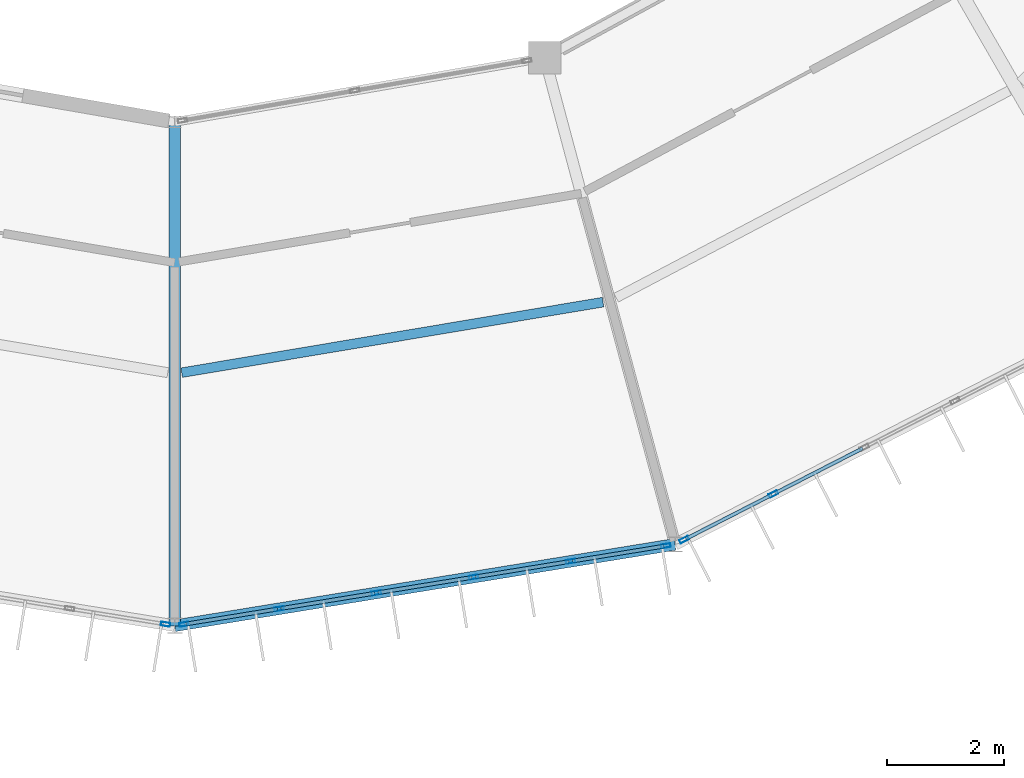
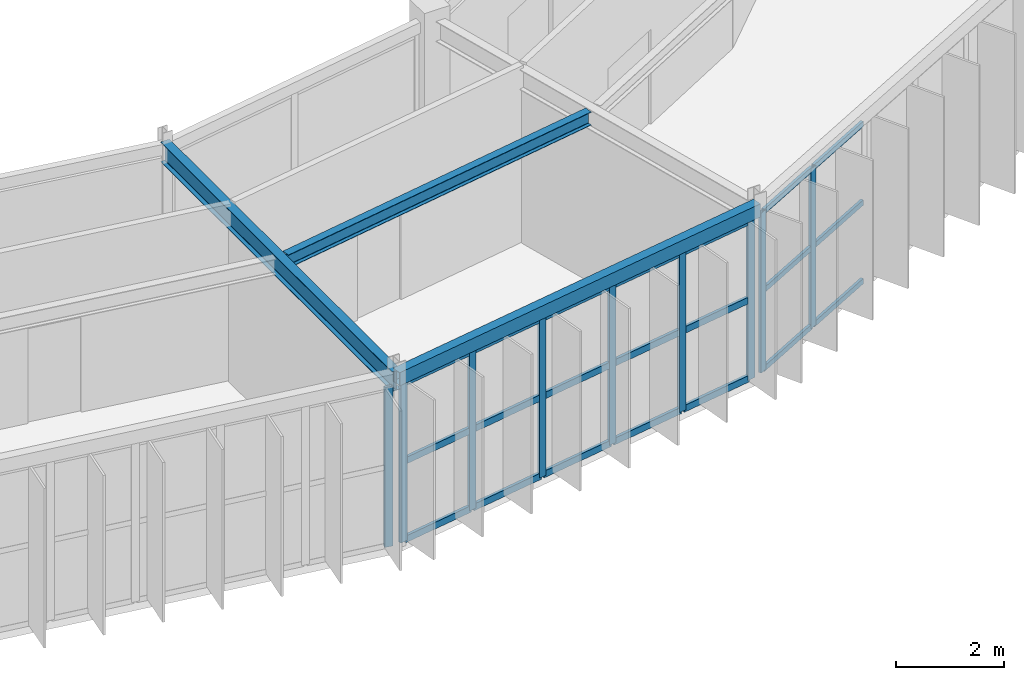
# One storey, part 41 of 130: 30 members, 3 beams, 3 elements without a shape of their own.
"""IFC4 building model written with IfcOpenShell, lengths in metres."""

from ifc_helpers import new_model, si_unit, direction, frame, origin, origin_2d, place, context, subcontext, project, spatial, hollow_rectangle, i_section, extrude, material, material_profile, profile_set, type_object, element, aggregate, save


model = new_model("IFC4")

# Units and contexts
model_context = context("Model", 3, precision=1e-05, world=origin(), true_north=direction((0.0, 1.0)))
body_context = subcontext(model_context, "Body", "Model", "MODEL_VIEW")
ifc_project = project(units=[si_unit("LENGTHUNIT", "METRE"), si_unit("AREAUNIT", "SQUARE_METRE"), si_unit("VOLUMEUNIT", "CUBIC_METRE"), si_unit("PLANEANGLEUNIT", "RADIAN"), si_unit("MASSUNIT", "GRAM", prefix="KILO")], contexts=[model_context])

# Site, building, storey
site_placement = place(None, origin())
site = spatial("IfcSite", under=ifc_project, at=site_placement, CompositionType="ELEMENT")
building_placement = place(site_placement, origin())
building = spatial("IfcBuilding", under=site, at=building_placement, Name="Karori Crest Natural Sciences Institute", CompositionType="ELEMENT")
storey_placement = place(building_placement, frame((0.0, 0.0, 17.5)))
storey = spatial("IfcBuildingStorey", under=building, at=storey_placement, Name="L04", CompositionType="ELEMENT", Elevation=17.5)

# Beams
ifc_material_1 = material(Name="Structural steel AS/NZS 3679.1 Grade 350", Category="steel")
ifc_material_profile_1 = material_profile(ifc_material_1, i_section(OverallWidth=0.1650390625, OverallDepth=0.303955078125, WebThickness=0.006103515625, FlangeThickness=0.01025390625, FilletRadius=0.010986328125, at=origin_2d()), Name="310UB40.4")
ifc_profile_set_1 = profile_set([ifc_material_profile_1], Name="Structural steel AS/NZS 3679.1 Grade 350")
beam_type_1 = type_object("IfcBeamType", Name="BT-10", PredefinedType="BEAM", material=ifc_profile_set_1)
beam_1_placement = place(storey_placement, frame((66.518310546875, 13.419921875, 3.7880859375), z_axis=(0.986276028212, 0.165104803609, 0.0), x_axis=(-0.165104803609, 0.986276028212, 0.0)))
element("IfcBeam", 1, at=beam_1_placement, inside=storey, type_object=beam_type_1, Name="Beam B-0521", PredefinedType="BEAM", context=body_context, shape_type="SweptSolid", body=[
    extrude(i_section(OverallWidth=0.1650390625, OverallDepth=0.303955078125, WebThickness=0.006103515625, FlangeThickness=0.01025390625, FilletRadius=0.010986328125, at=origin_2d()), origin(), (0.0, 0.0, 1.0), 7.29150390625),
])
ifc_material_2 = material(Name="Hollow structural steel AS/NZS 1163 Grade C350", Category="steel")
ifc_material_profile_2 = material_profile(ifc_material_2, hollow_rectangle(XDim=0.199951171875, YDim=0.300048828125, WallThickness=0.010009765625, at=origin_2d()), Name="RHS300x200x10")
ifc_profile_set_2 = profile_set([ifc_material_profile_2], Name="Hollow structural steel AS/NZS 1163 Grade C350")
beam_type_2 = type_object("IfcBeamType", Name="BT-15", PredefinedType="SPANDREL", material=ifc_profile_set_2)
beam_2_placement = place(storey_placement, frame((66.39990234375, 9.10009765625, 3.7900390625), z_axis=(0.987012055933, 0.160646199591, 0.0), x_axis=(-0.160646199591, 0.987012055933, 0.0)))
element("IfcBeam", 2, at=beam_2_placement, inside=storey, type_object=beam_type_2, Name="Beam B-0518", PredefinedType="SPANDREL", context=body_context, shape_type="SweptSolid", body=[
    extrude(hollow_rectangle(XDim=0.199951171875, YDim=0.300048828125, WallThickness=0.010009765625, at=origin_2d()), origin(), (0.0, 0.0, 1.0), 8.6533203125),
])
ifc_material_profile_3 = material_profile(ifc_material_1, i_section(OverallWidth=0.18994140625, OverallDepth=0.4541015625, WebThickness=0.008544921875, FlangeThickness=0.0126953125, FilletRadius=0.010986328125, at=origin_2d()), Name="460UB67.1")
ifc_profile_set_3 = profile_set([ifc_material_profile_3], Name="Structural steel AS/NZS 3679.1 Grade 350")
beam_type_3 = type_object("IfcBeamType", Name="BT-28", PredefinedType="BEAM", material=ifc_profile_set_3)
beam_3_placement = place(storey_placement, frame((66.39990234375, 17.699951171875, 3.712890625), z_axis=(0.0, -1.0, 0.0), x_axis=(1.0, 0.0, 0.0)))
element("IfcBeam", 3, at=beam_3_placement, inside=storey, type_object=beam_type_3, Name="Beam B-0520", PredefinedType="BEAM", context=body_context, shape_type="SweptSolid", body=[
    extrude(i_section(OverallWidth=0.18994140625, OverallDepth=0.4541015625, WebThickness=0.008544921875, FlangeThickness=0.0126953125, FilletRadius=0.010986328125, at=origin_2d()), origin(), (0.0, 0.0, 1.0), 8.599853515625),
])

# Curtain wall, member
ifc_material_3 = material(Name="Anodised architectural aluminium 6063-T6", Category="aluminium")
curtain_wall_type_1 = type_object("IfcCurtainWallType", Name="CWT-08", PredefinedType="NOTDEFINED", material=ifc_material_3)
curtain_wall_1_placement = place(storey_placement, origin())
curtain_wall_1 = element("IfcCurtainWall", 4, at=curtain_wall_1_placement, inside=storey, type_object=curtain_wall_type_1, Name="Curtain wall CW-0162", PredefinedType="NOTDEFINED")
ifc_material_profile_4 = material_profile(ifc_material_3, hollow_rectangle(XDim=0.06494140625, YDim=0.159912109375, WallThickness=0.00390625, at=origin_2d()), Name="CWM160x65x4")
ifc_profile_set_4 = profile_set([ifc_material_profile_4], Name="Anodised architectural aluminium 6063-T6")
member_type_1 = type_object("IfcMemberType", Name="CWM-01", PredefinedType="MULLION", material=ifc_profile_set_4)
member_1_placement = place(storey_placement, frame((66.241943359375, 9.125732421875, 0.0), z_axis=(0.0, 0.0, 1.0), x_axis=(-0.160655493101, -0.987010543275, 0.0)))
member_1 = element("IfcMember", 5, at=member_1_placement, type_object=member_type_1, Name="CW-0162 mullion 1", PredefinedType="MULLION", context=body_context, shape_type="SweptSolid", body=[
    extrude(hollow_rectangle(XDim=0.06494140625, YDim=0.159912109375, WallThickness=0.00390625, at=origin_2d()), origin(), (0.0, 0.0, 1.0), 3.625),
])
aggregate(curtain_wall_1, [member_1])

# Curtain wall, members
curtain_wall_type_2 = type_object("IfcCurtainWallType", Name="CWT-09", PredefinedType="NOTDEFINED", material=ifc_material_3)
curtain_wall_2_placement = place(storey_placement, origin())
curtain_wall_2 = element("IfcCurtainWall", 6, at=curtain_wall_2_placement, inside=storey, type_object=curtain_wall_type_2, Name="Curtain wall CW-0163", PredefinedType="NOTDEFINED")
member_2_placement = place(storey_placement, frame((74.783935546875, 10.464599609375, 0.0), z_axis=(0.0, 0.0, 1.0), x_axis=(0.160650246484, -0.987011397252, 0.0)))
member_2 = element("IfcMember", 7, at=member_2_placement, type_object=member_type_1, Name="CW-0163 mullion 1", PredefinedType="MULLION", context=body_context, shape_type="SweptSolid", body=[
    extrude(hollow_rectangle(XDim=0.06494140625, YDim=0.159912109375, WallThickness=0.00390625, at=origin_2d()), origin(), (0.0, 0.0, 1.0), 3.625),
])
member_3_placement = place(storey_placement, frame((73.157958984375, 10.199951171875, 0.0), z_axis=(0.0, 0.0, 1.0), x_axis=(0.160650246484, -0.987011397252, 0.0)))
member_3 = element("IfcMember", 8, at=member_3_placement, type_object=member_type_1, Name="CW-0163 mullion 2", PredefinedType="MULLION", context=body_context, shape_type="SweptSolid", body=[
    extrude(hollow_rectangle(XDim=0.06494140625, YDim=0.159912109375, WallThickness=0.00390625, at=origin_2d()), origin(), (0.0, 0.0, 1.0), 3.625),
])
member_4_placement = place(storey_placement, frame((71.5, 9.93017578125, 0.0), z_axis=(0.0, 0.0, 1.0), x_axis=(0.160650246484, -0.987011397252, 0.0)))
member_4 = element("IfcMember", 9, at=member_4_placement, type_object=member_type_1, Name="CW-0163 mullion 3", PredefinedType="MULLION", context=body_context, shape_type="SweptSolid", body=[
    extrude(hollow_rectangle(XDim=0.06494140625, YDim=0.159912109375, WallThickness=0.00390625, at=origin_2d()), origin(), (0.0, 0.0, 1.0), 3.625),
])
member_5_placement = place(storey_placement, frame((69.842041015625, 9.66015625, 0.0), z_axis=(0.0, 0.0, 1.0), x_axis=(0.160650246484, -0.987011397252, 0.0)))
member_5 = element("IfcMember", 10, at=member_5_placement, type_object=member_type_1, Name="CW-0163 mullion 4", PredefinedType="MULLION", context=body_context, shape_type="SweptSolid", body=[
    extrude(hollow_rectangle(XDim=0.06494140625, YDim=0.159912109375, WallThickness=0.00390625, at=origin_2d()), origin(), (0.0, 0.0, 1.0), 3.625),
])
member_6_placement = place(storey_placement, frame((68.18408203125, 9.390380859375, 0.0), z_axis=(0.0, 0.0, 1.0), x_axis=(0.160650246484, -0.987011397252, 0.0)))
member_6 = element("IfcMember", 11, at=member_6_placement, type_object=member_type_1, Name="CW-0163 mullion 5", PredefinedType="MULLION", context=body_context, shape_type="SweptSolid", body=[
    extrude(hollow_rectangle(XDim=0.06494140625, YDim=0.159912109375, WallThickness=0.00390625, at=origin_2d()), origin(), (0.0, 0.0, 1.0), 3.625),
])
member_7_placement = place(storey_placement, frame((66.55810546875, 9.125732421875, 0.0), z_axis=(0.0, 0.0, 1.0), x_axis=(0.160650246484, -0.987011397252, 0.0)))
member_7 = element("IfcMember", 12, at=member_7_placement, type_object=member_type_1, Name="CW-0163 mullion 6", PredefinedType="MULLION", context=body_context, shape_type="SweptSolid", body=[
    extrude(hollow_rectangle(XDim=0.06494140625, YDim=0.159912109375, WallThickness=0.00390625, at=origin_2d()), origin(), (0.0, 0.0, 1.0), 3.625),
])

curtain_wall_type_3 = type_object("IfcCurtainWallType", Name="CWT-10", PredefinedType="NOTDEFINED", material=ifc_material_3)
curtain_wall_3_placement = place(storey_placement, origin())
curtain_wall_3 = element("IfcCurtainWall", 13, at=curtain_wall_3_placement, inside=storey, type_object=curtain_wall_type_3, Name="Curtain wall CW-0165", PredefinedType="NOTDEFINED")
member_8_placement = place(storey_placement, frame((76.617919921875, 11.348876953125, 0.0), z_axis=(0.0, 0.0, 1.0), x_axis=(0.455828878252, -0.890067432138, 0.0)))
member_8 = element("IfcMember", 14, at=member_8_placement, type_object=member_type_1, Name="CW-0165 mullion 5", PredefinedType="MULLION", context=body_context, shape_type="SweptSolid", body=[
    extrude(hollow_rectangle(XDim=0.06494140625, YDim=0.159912109375, WallThickness=0.00390625, at=origin_2d()), origin(), (0.0, 0.0, 1.0), 3.625),
])
member_9_placement = place(storey_placement, frame((75.09521484375, 10.569091796875, 0.0), z_axis=(0.0, 0.0, 1.0), x_axis=(0.455828878252, -0.890067432138, 0.0)))
member_9 = element("IfcMember", 15, at=member_9_placement, type_object=member_type_1, Name="CW-0165 mullion 6", PredefinedType="MULLION", context=body_context, shape_type="SweptSolid", body=[
    extrude(hollow_rectangle(XDim=0.06494140625, YDim=0.159912109375, WallThickness=0.00390625, at=origin_2d()), origin(), (0.0, 0.0, 1.0), 3.625),
])
ifc_material_profile_5 = material_profile(ifc_material_3, hollow_rectangle(XDim=0.06005859375, YDim=0.1201171875, WallThickness=0.00390625, at=origin_2d()), Name="CWT120x60x4")
ifc_profile_set_5 = profile_set([ifc_material_profile_5], Name="Anodised architectural aluminium 6063-T6")
member_type_2 = type_object("IfcMemberType", Name="CWT-TR1", PredefinedType="USERDEFINED", material=ifc_profile_set_5)
member_10_placement = place(storey_placement, frame((78.140625, 12.12890625, 0.030029296875), z_axis=(-0.890050562189, -0.455861817601, 0.0), x_axis=(0.455861817601, -0.890050562189, 0.0)))
member_10 = element("IfcMember", 16, at=member_10_placement, type_object=member_type_2, Name="CW-0165 transom 4.1", ObjectType="TRANSOM", PredefinedType="USERDEFINED", context=body_context, shape_type="SweptSolid", body=[
    extrude(hollow_rectangle(XDim=0.06005859375, YDim=0.1201171875, WallThickness=0.00390625, at=origin_2d()), origin(), (0.0, 0.0, 1.0), 1.678466796875),
])
member_11_placement = place(storey_placement, frame((78.140625, 12.12890625, 1.8125), z_axis=(-0.890050562189, -0.455861817601, 0.0), x_axis=(0.455861817601, -0.890050562189, 0.0)))
member_11 = element("IfcMember", 17, at=member_11_placement, type_object=member_type_2, Name="CW-0165 transom 4.2", ObjectType="TRANSOM", PredefinedType="USERDEFINED", context=body_context, shape_type="SweptSolid", body=[
    extrude(hollow_rectangle(XDim=0.06005859375, YDim=0.1201171875, WallThickness=0.00390625, at=origin_2d()), origin(), (0.0, 0.0, 1.0), 1.678466796875),
])
member_12_placement = place(storey_placement, frame((78.140625, 12.12890625, 3.594970703125), z_axis=(-0.890050562189, -0.455861817601, 0.0), x_axis=(0.455861817601, -0.890050562189, 0.0)))
member_12 = element("IfcMember", 18, at=member_12_placement, type_object=member_type_2, Name="CW-0165 transom 4.3", ObjectType="TRANSOM", PredefinedType="USERDEFINED", context=body_context, shape_type="SweptSolid", body=[
    extrude(hollow_rectangle(XDim=0.06005859375, YDim=0.1201171875, WallThickness=0.00390625, at=origin_2d()), origin(), (0.0, 0.0, 1.0), 1.678466796875),
])
member_13_placement = place(storey_placement, frame((76.589111328125, 11.334228515625, 0.030029296875), z_axis=(-0.890084461025, -0.455795625518, 0.0), x_axis=(0.455795625518, -0.890084461025, 0.0)))
member_13 = element("IfcMember", 19, at=member_13_placement, type_object=member_type_2, Name="CW-0165 transom 5.1", ObjectType="TRANSOM", PredefinedType="USERDEFINED", context=body_context, shape_type="SweptSolid", body=[
    extrude(hollow_rectangle(XDim=0.06005859375, YDim=0.1201171875, WallThickness=0.00390625, at=origin_2d()), origin(), (0.0, 0.0, 1.0), 1.64599609375),
])
member_14_placement = place(storey_placement, frame((76.589111328125, 11.334228515625, 1.8125), z_axis=(-0.890084461025, -0.455795625518, 0.0), x_axis=(0.455795625518, -0.890084461025, 0.0)))
member_14 = element("IfcMember", 20, at=member_14_placement, type_object=member_type_2, Name="CW-0165 transom 5.2", ObjectType="TRANSOM", PredefinedType="USERDEFINED", context=body_context, shape_type="SweptSolid", body=[
    extrude(hollow_rectangle(XDim=0.06005859375, YDim=0.1201171875, WallThickness=0.00390625, at=origin_2d()), origin(), (0.0, 0.0, 1.0), 1.64599609375),
])
member_15_placement = place(storey_placement, frame((76.589111328125, 11.334228515625, 3.594970703125), z_axis=(-0.890084461025, -0.455795625518, 0.0), x_axis=(0.455795625518, -0.890084461025, 0.0)))
member_15 = element("IfcMember", 21, at=member_15_placement, type_object=member_type_2, Name="CW-0165 transom 5.3", ObjectType="TRANSOM", PredefinedType="USERDEFINED", context=body_context, shape_type="SweptSolid", body=[
    extrude(hollow_rectangle(XDim=0.06005859375, YDim=0.1201171875, WallThickness=0.00390625, at=origin_2d()), origin(), (0.0, 0.0, 1.0), 1.64599609375),
])
aggregate(curtain_wall_3, [member_8, member_9, member_10, member_11, member_12, member_13, member_14, member_15])

# Member
ifc_material_profile_6 = material_profile(ifc_material_3, hollow_rectangle(XDim=0.06494140625, YDim=0.14990234375, WallThickness=0.00390625, at=origin_2d()), Name="CWT150x65x4")
ifc_profile_set_6 = profile_set([ifc_material_profile_6], Name="Anodised architectural aluminium 6063-T6")
member_type_3 = type_object("IfcMemberType", Name="CWT-TR2", PredefinedType="USERDEFINED", material=ifc_profile_set_6)
member_16_placement = place(storey_placement, frame((74.751708984375, 10.45947265625, 0.032470703125), z_axis=(-0.98699190147, -0.160769979886, 0.0), x_axis=(0.160769979886, -0.98699190147, 0.0)))
member_16 = element("IfcMember", 22, at=member_16_placement, type_object=member_type_3, Name="CW-0163 transom 1.1", ObjectType="TRANSOM", PredefinedType="USERDEFINED", context=body_context, shape_type="SweptSolid", body=[
    extrude(hollow_rectangle(XDim=0.06494140625, YDim=0.14990234375, WallThickness=0.00390625, at=origin_2d()), origin(), (0.0, 0.0, 1.0), 1.582275390625),
])

member_17_placement = place(storey_placement, frame((74.751708984375, 10.45947265625, 1.8125), z_axis=(-0.98699190147, -0.160769979886, 0.0), x_axis=(0.160769979886, -0.98699190147, 0.0)))
member_17 = element("IfcMember", 23, at=member_17_placement, type_object=member_type_3, Name="CW-0163 transom 1.2", ObjectType="TRANSOM", PredefinedType="USERDEFINED", context=body_context, shape_type="SweptSolid", body=[
    extrude(hollow_rectangle(XDim=0.06494140625, YDim=0.14990234375, WallThickness=0.00390625, at=origin_2d()), origin(), (0.0, 0.0, 1.0), 1.582275390625),
])

member_18_placement = place(storey_placement, frame((74.751708984375, 10.45947265625, 3.592529296875), z_axis=(-0.98699190147, -0.160769979886, 0.0), x_axis=(0.160769979886, -0.98699190147, 0.0)))
member_18 = element("IfcMember", 24, at=member_18_placement, type_object=member_type_3, Name="CW-0163 transom 1.3", ObjectType="TRANSOM", PredefinedType="USERDEFINED", context=body_context, shape_type="SweptSolid", body=[
    extrude(hollow_rectangle(XDim=0.06494140625, YDim=0.14990234375, WallThickness=0.00390625, at=origin_2d()), origin(), (0.0, 0.0, 1.0), 1.582275390625),
])

member_19_placement = place(storey_placement, frame((73.125732421875, 10.19482421875, 0.032470703125), z_axis=(-0.987000019858, -0.16072013191, 0.0), x_axis=(0.16072013191, -0.987000019858, 0.0)))
member_19 = element("IfcMember", 25, at=member_19_placement, type_object=member_type_3, Name="CW-0163 transom 2.1", ObjectType="TRANSOM", PredefinedType="USERDEFINED", context=body_context, shape_type="SweptSolid", body=[
    extrude(hollow_rectangle(XDim=0.06494140625, YDim=0.14990234375, WallThickness=0.00390625, at=origin_2d()), origin(), (0.0, 0.0, 1.0), 1.61474609375),
])

member_20_placement = place(storey_placement, frame((73.125732421875, 10.19482421875, 1.8125), z_axis=(-0.987000019858, -0.16072013191, 0.0), x_axis=(0.16072013191, -0.987000019858, 0.0)))
member_20 = element("IfcMember", 26, at=member_20_placement, type_object=member_type_3, Name="CW-0163 transom 2.2", ObjectType="TRANSOM", PredefinedType="USERDEFINED", context=body_context, shape_type="SweptSolid", body=[
    extrude(hollow_rectangle(XDim=0.06494140625, YDim=0.14990234375, WallThickness=0.00390625, at=origin_2d()), origin(), (0.0, 0.0, 1.0), 1.61474609375),
])

member_21_placement = place(storey_placement, frame((73.125732421875, 10.19482421875, 3.592529296875), z_axis=(-0.987000019858, -0.16072013191, 0.0), x_axis=(0.16072013191, -0.987000019858, 0.0)))
member_21 = element("IfcMember", 27, at=member_21_placement, type_object=member_type_3, Name="CW-0163 transom 2.3", ObjectType="TRANSOM", PredefinedType="USERDEFINED", context=body_context, shape_type="SweptSolid", body=[
    extrude(hollow_rectangle(XDim=0.06494140625, YDim=0.14990234375, WallThickness=0.00390625, at=origin_2d()), origin(), (0.0, 0.0, 1.0), 1.61474609375),
])

member_22_placement = place(storey_placement, frame((71.4677734375, 9.9248046875, 0.032470703125), z_axis=(-0.987023993607, -0.160572837195, 0.0), x_axis=(0.160572837195, -0.987023993607, 0.0)))
member_22 = element("IfcMember", 28, at=member_22_placement, type_object=member_type_3, Name="CW-0163 transom 3.1", ObjectType="TRANSOM", PredefinedType="USERDEFINED", context=body_context, shape_type="SweptSolid", body=[
    extrude(hollow_rectangle(XDim=0.06494140625, YDim=0.14990234375, WallThickness=0.00390625, at=origin_2d()), origin(), (0.0, 0.0, 1.0), 1.61474609375),
])

member_23_placement = place(storey_placement, frame((71.4677734375, 9.9248046875, 1.8125), z_axis=(-0.987023993607, -0.160572837195, 0.0), x_axis=(0.160572837195, -0.987023993607, 0.0)))
member_23 = element("IfcMember", 29, at=member_23_placement, type_object=member_type_3, Name="CW-0163 transom 3.2", ObjectType="TRANSOM", PredefinedType="USERDEFINED", context=body_context, shape_type="SweptSolid", body=[
    extrude(hollow_rectangle(XDim=0.06494140625, YDim=0.14990234375, WallThickness=0.00390625, at=origin_2d()), origin(), (0.0, 0.0, 1.0), 1.61474609375),
])

member_24_placement = place(storey_placement, frame((71.4677734375, 9.9248046875, 3.592529296875), z_axis=(-0.987023993607, -0.160572837195, 0.0), x_axis=(0.160572837195, -0.987023993607, 0.0)))
member_24 = element("IfcMember", 30, at=member_24_placement, type_object=member_type_3, Name="CW-0163 transom 3.3", ObjectType="TRANSOM", PredefinedType="USERDEFINED", context=body_context, shape_type="SweptSolid", body=[
    extrude(hollow_rectangle(XDim=0.06494140625, YDim=0.14990234375, WallThickness=0.00390625, at=origin_2d()), origin(), (0.0, 0.0, 1.0), 1.61474609375),
])

member_25_placement = place(storey_placement, frame((69.809814453125, 9.655029296875, 0.032470703125), z_axis=(-0.987000019858, -0.16072013191, 0.0), x_axis=(0.16072013191, -0.987000019858, 0.0)))
member_25 = element("IfcMember", 31, at=member_25_placement, type_object=member_type_3, Name="CW-0163 transom 4.1", ObjectType="TRANSOM", PredefinedType="USERDEFINED", context=body_context, shape_type="SweptSolid", body=[
    extrude(hollow_rectangle(XDim=0.06494140625, YDim=0.14990234375, WallThickness=0.00390625, at=origin_2d()), origin(), (0.0, 0.0, 1.0), 1.61474609375),
])

member_26_placement = place(storey_placement, frame((69.809814453125, 9.655029296875, 1.8125), z_axis=(-0.987000019858, -0.16072013191, 0.0), x_axis=(0.16072013191, -0.987000019858, 0.0)))
member_26 = element("IfcMember", 32, at=member_26_placement, type_object=member_type_3, Name="CW-0163 transom 4.2", ObjectType="TRANSOM", PredefinedType="USERDEFINED", context=body_context, shape_type="SweptSolid", body=[
    extrude(hollow_rectangle(XDim=0.06494140625, YDim=0.14990234375, WallThickness=0.00390625, at=origin_2d()), origin(), (0.0, 0.0, 1.0), 1.61474609375),
])

member_27_placement = place(storey_placement, frame((69.809814453125, 9.655029296875, 3.592529296875), z_axis=(-0.987000019858, -0.16072013191, 0.0), x_axis=(0.16072013191, -0.987000019858, 0.0)))
member_27 = element("IfcMember", 33, at=member_27_placement, type_object=member_type_3, Name="CW-0163 transom 4.3", ObjectType="TRANSOM", PredefinedType="USERDEFINED", context=body_context, shape_type="SweptSolid", body=[
    extrude(hollow_rectangle(XDim=0.06494140625, YDim=0.14990234375, WallThickness=0.00390625, at=origin_2d()), origin(), (0.0, 0.0, 1.0), 1.61474609375),
])

member_28_placement = place(storey_placement, frame((68.15185546875, 9.38525390625, 0.032470703125), z_axis=(-0.98699190147, -0.160769979886, 0.0), x_axis=(0.160769979886, -0.98699190147, 0.0)))
member_28 = element("IfcMember", 34, at=member_28_placement, type_object=member_type_3, Name="CW-0163 transom 5.1", ObjectType="TRANSOM", PredefinedType="USERDEFINED", context=body_context, shape_type="SweptSolid", body=[
    extrude(hollow_rectangle(XDim=0.06494140625, YDim=0.14990234375, WallThickness=0.00390625, at=origin_2d()), origin(), (0.0, 0.0, 1.0), 1.582275390625),
])

member_29_placement = place(storey_placement, frame((68.15185546875, 9.38525390625, 1.8125), z_axis=(-0.98699190147, -0.160769979886, 0.0), x_axis=(0.160769979886, -0.98699190147, 0.0)))
member_29 = element("IfcMember", 35, at=member_29_placement, type_object=member_type_3, Name="CW-0163 transom 5.2", ObjectType="TRANSOM", PredefinedType="USERDEFINED", context=body_context, shape_type="SweptSolid", body=[
    extrude(hollow_rectangle(XDim=0.06494140625, YDim=0.14990234375, WallThickness=0.00390625, at=origin_2d()), origin(), (0.0, 0.0, 1.0), 1.582275390625),
])

member_30_placement = place(storey_placement, frame((68.15185546875, 9.38525390625, 3.592529296875), z_axis=(-0.98699190147, -0.160769979886, 0.0), x_axis=(0.160769979886, -0.98699190147, 0.0)))
member_30 = element("IfcMember", 36, at=member_30_placement, type_object=member_type_3, Name="CW-0163 transom 5.3", ObjectType="TRANSOM", PredefinedType="USERDEFINED", context=body_context, shape_type="SweptSolid", body=[
    extrude(hollow_rectangle(XDim=0.06494140625, YDim=0.14990234375, WallThickness=0.00390625, at=origin_2d()), origin(), (0.0, 0.0, 1.0), 1.582275390625),
])

aggregate(curtain_wall_2, [member_2, member_3, member_4, member_5, member_6, member_7, member_16, member_17, member_18, member_19, member_20, member_21, member_22, member_23, member_24, member_25, member_26, member_27, member_28, member_29, member_30])

save(model, "model.ifc")
